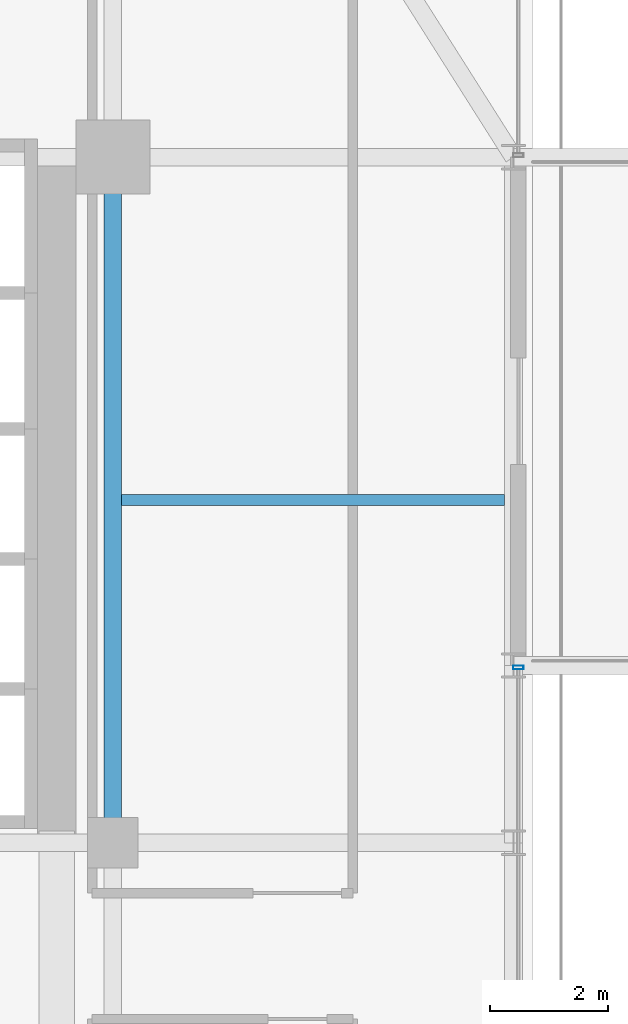
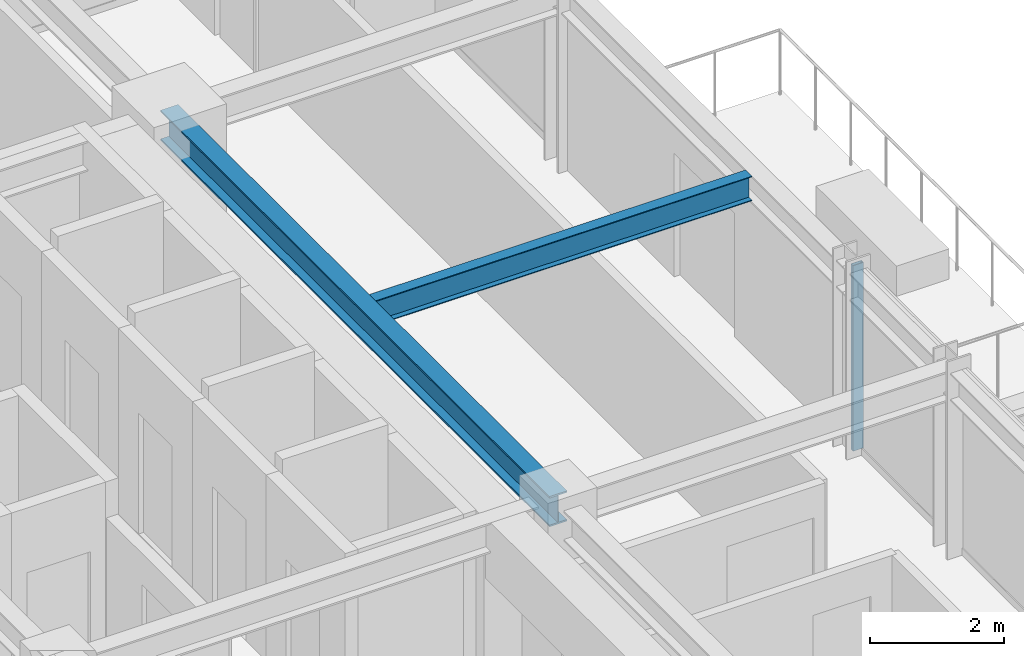
# One storey, part 22 of 34: 2 beams, 1 member, 1 element without a shape of its own.
"""IFC4 building model written with IfcOpenShell, lengths in metres."""

from ifc_helpers import new_model, si_unit, direction, frame, origin, origin_2d, place, context, subcontext, project, spatial, hollow_rectangle, i_section, extrude, source, transform, mapped, material, material_profile, profile_set, type_object, element, aggregate, save


model = new_model("IFC4")

# Units and contexts
model_context = context("Model", 3, precision=1e-05, world=origin(), true_north=direction((0.0, 1.0)))
body_context = subcontext(model_context, "Body", "Model", "MODEL_VIEW")
ifc_project = project(units=[si_unit("LENGTHUNIT", "METRE"), si_unit("AREAUNIT", "SQUARE_METRE"), si_unit("VOLUMEUNIT", "CUBIC_METRE"), si_unit("PLANEANGLEUNIT", "RADIAN"), si_unit("MASSUNIT", "GRAM", prefix="KILO")], contexts=[model_context])

# Site, building, storey
site_placement = place(None, origin())
site = spatial("IfcSite", under=ifc_project, at=site_placement, CompositionType="ELEMENT")
building_placement = place(site_placement, origin())
building = spatial("IfcBuilding", under=site, at=building_placement, Name="Nahalor Promenade Grand Hotel", CompositionType="ELEMENT")
storey_placement = place(building_placement, frame((0.0, 0.0, 88.300048828125)))
storey = spatial("IfcBuildingStorey", under=building, at=storey_placement, Name="L21", CompositionType="ELEMENT", Elevation=88.300048828125)

# Beams
ifc_material_1 = material(Name="Steel S355JR", Category="steel")
ifc_material_profile_1 = material_profile(ifc_material_1, i_section(OverallWidth=0.3, OverallDepth=0.55, WebThickness=0.015, FlangeThickness=0.029, at=origin_2d()), Name="HEB 550")
ifc_profile_set_1 = profile_set([ifc_material_profile_1], Name="Steel S355JR")
beam_type_1 = type_object("IfcBeamType", Name="Beam-Girder-HEB550", PredefinedType="BEAM", material=ifc_profile_set_1)
shared_shape_1 = source(origin(), body_context, "Body", "SweptSolid", [
    extrude(i_section(OverallWidth=0.3, OverallDepth=0.55, WebThickness=0.015, FlangeThickness=0.029, at=origin_2d()), origin(), (0.0, 0.0, 1.0), 11.60009765625),
])
beam_1_placement = place(storey_placement, frame((17.0, 5.39990234375, 3.10498046875), z_axis=(0.0, 1.0, 0.0), x_axis=(-1.0, 0.0, 0.0)))
element("IfcBeam", 1, at=beam_1_placement, inside=storey, type_object=beam_type_1, Name="BM-L21-GY-5-3", PredefinedType="BEAM", context=body_context, shape_type="MappedRepresentation", body=[
    mapped(shared_shape_1, transform((0.0, 0.0, 0.0), scale=1.0)),
])
ifc_material_profile_2 = material_profile(ifc_material_1, i_section(OverallWidth=0.19, OverallDepth=0.45, WebThickness=0.0094, FlangeThickness=0.0146, at=origin_2d()), Name="IPE 450")
ifc_profile_set_2 = profile_set([ifc_material_profile_2], Name="Steel S355JR")
beam_type_2 = type_object("IfcBeamType", Name="Beam-Joist-IPE450", PredefinedType="JOIST", material=ifc_profile_set_2)
shared_shape_2 = source(origin(), body_context, "Body", "SweptSolid", [
    extrude(i_section(OverallWidth=0.19, OverallDepth=0.45, WebThickness=0.0094, FlangeThickness=0.0146, at=origin_2d()), origin(), (0.0, 0.0, 1.0), 6.47998046875),
])
beam_2_placement = place(storey_placement, frame((17.14990234375, 11.199951171875, 3.155029296875), z_axis=(1.0, 0.0, 0.0), x_axis=(0.0, 1.0, 0.0)))
element("IfcBeam", 2, at=beam_2_placement, inside=storey, type_object=beam_type_2, Name="BM-L21-JSE-1-2", PredefinedType="JOIST", context=body_context, shape_type="MappedRepresentation", body=[
    mapped(shared_shape_2, transform((0.0, 0.0, 0.0), scale=1.0)),
])

# Curtain wall, member
ifc_material_2 = material(Name="Anodised Bronze Aluminium EN AW-6063 T6", Category="aluminium")
curtain_wall_type = type_object("IfcCurtainWallType", Name="CW2 Typical Hotel Flush Bronze Unitised Curtain Wall", PredefinedType="USERDEFINED", material=ifc_material_2)
curtain_wall_placement = place(storey_placement, origin())
curtain_wall = element("IfcCurtainWall", 3, at=curtain_wall_placement, inside=storey, type_object=curtain_wall_type, Name="L21 Curtain Wall CW-L21-E-1", ObjectType="UNITISED_CURTAIN_WALL", PredefinedType="USERDEFINED")
ifc_material_profile_3 = material_profile(ifc_material_2, hollow_rectangle(XDim=0.065, YDim=0.18, WallThickness=0.004, at=origin_2d()), Name="CWM 65x180x4")
ifc_profile_set_3 = profile_set([ifc_material_profile_3], Name="Anodised Bronze Aluminium EN AW-6063 T6")
member_type = type_object("IfcMemberType", Name="CWM2 Typical Bronze Mullion 65x180", PredefinedType="MULLION", material=ifc_profile_set_3)
shared_shape_3 = source(origin(), body_context, "Body", "SweptSolid", [
    extrude(hollow_rectangle(XDim=0.065, YDim=0.18, WallThickness=0.004, at=origin_2d()), origin(), (0.0, 0.0, 1.0), 3.3798828125),
])
member_placement = place(storey_placement, frame((23.860107421875, 8.367431640625, 0.0), z_axis=(0.0, 0.0, 1.0), x_axis=(0.0, 1.0, 0.0)))
member = element("IfcMember", 4, at=member_placement, type_object=member_type, Name="CW-L21-E-1 Mullion 3", PredefinedType="MULLION", context=body_context, shape_type="MappedRepresentation", body=[
    mapped(shared_shape_3, transform((0.0, 0.0, 0.0), scale=1.0)),
])
aggregate(curtain_wall, [member])

save(model, "model.ifc")
